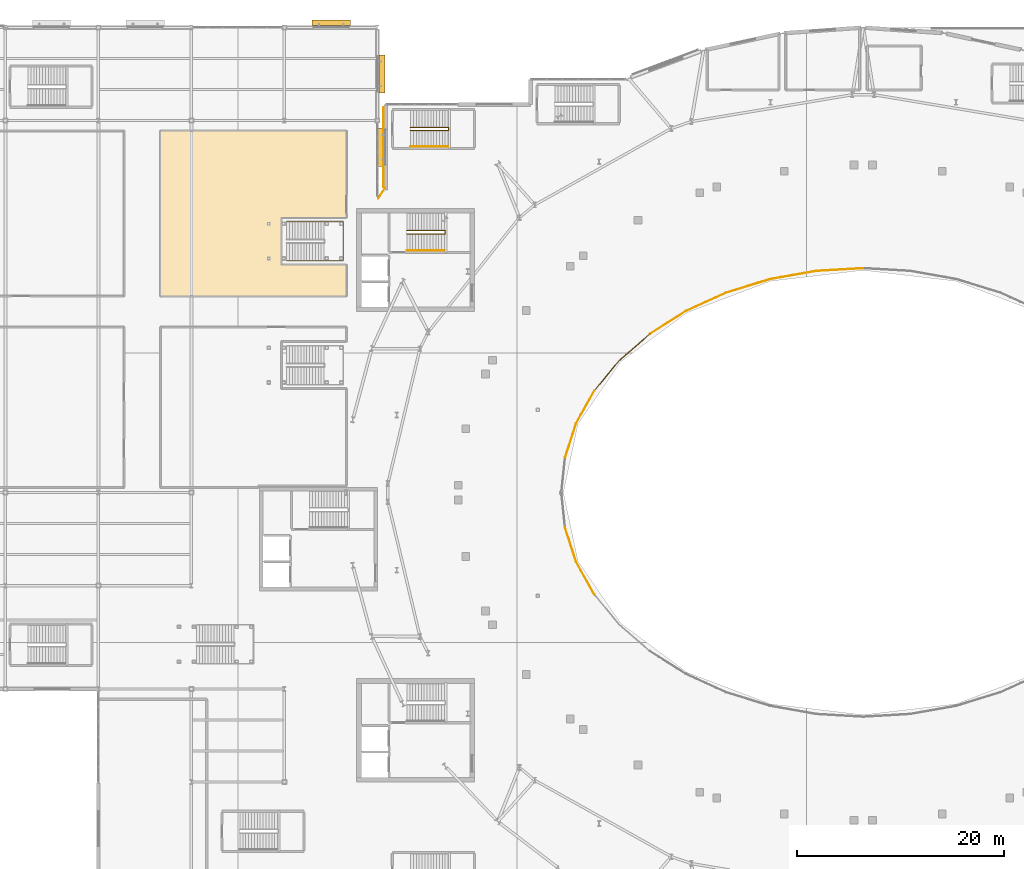
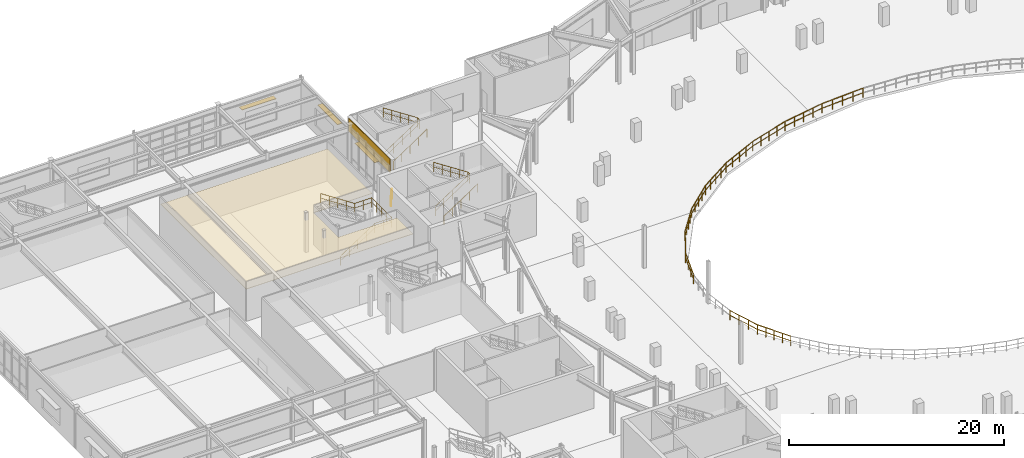
# One storey, part 81 of 84: 17 railings, 3 shading devices, 2 coverings.
"""IFC4 building model written with IfcOpenShell, lengths in metres."""

import ifcopenshell
import ifcopenshell.guid

model = None  # the IFC model being written
_history = None  # IfcOwnerHistory: only IFC2X3 demands one
_inside = {}  # id of a spatial element -> (the spatial element, [elements in it])
_under = {}  # id of a project, library or spatial element -> (it, [spatial elements below it])
_declared = {}  # id of a project -> (the project, [libraries it declares])
_typed = {}  # id of a type object -> (the type object, [elements of that type])
_made_of = {}  # id of a material, layer set ... -> (it, [elements and type objects made of it])


def new_model(schema):
    """Start an empty IFC model of exactly this schema.

    Asked for "IFC4X3", IfcOpenShell would pick the latest addendum, in which some entities
    have other attributes; the version numbers below select the first issue.
    IFC2X3 requires an IfcOwnerHistory on every rooted entity: one is made here for all.
    """
    global model, _history
    if schema == "IFC4X3":
        model = ifcopenshell.file(schema_version=(4, 3, 0, 0))
    else:
        model = ifcopenshell.file(schema=schema)
    _inside.clear()
    _under.clear()
    _declared.clear()
    _typed.clear()
    _made_of.clear()
    _history = None
    if model.schema == "IFC2X3":
        org = make("IfcOrganization", Name="unknown")
        user = make(
            "IfcPersonAndOrganization",
            ThePerson=make("IfcPerson", FamilyName="unknown"),
            TheOrganization=org,
        )
        app = make(
            "IfcApplication",
            ApplicationDeveloper=org,
            Version="unknown",
            ApplicationFullName="unknown",
            ApplicationIdentifier="unknown",
        )
        _history = make(
            "IfcOwnerHistory",
            OwningUser=user,
            OwningApplication=app,
            ChangeAction="ADDED",
            CreationDate=0,
        )
    return model


def make(cls, **values):
    """One entity of the class cls with the attributes given. An attribute that is None is left unset."""
    return model.create_entity(
        cls, **{name: value for name, value in values.items() if value is not None}
    )


def rooted(cls, **values):
    """An entity with a GlobalId (a new one), such as an element, a storey or a relation."""
    return make(cls, GlobalId=ifcopenshell.guid.new(), OwnerHistory=_history, **values)


def si_unit(unit_type, name, prefix=None):
    """IfcSIUnit, for example si_unit("LENGTHUNIT", "METRE", prefix="MILLI")."""
    return make("IfcSIUnit", UnitType=unit_type, Prefix=prefix, Name=name)


def assignment(units):
    """IfcUnitAssignment: the units of a project."""
    return None if units is None else make("IfcUnitAssignment", Units=units)


def point(xyz):
    """IfcCartesianPoint."""
    return None if xyz is None else make("IfcCartesianPoint", Coordinates=xyz)


def direction(xyz):
    """IfcDirection."""
    return None if xyz is None else make("IfcDirection", DirectionRatios=xyz)


def frame(location, z_axis=None, x_axis=None):
    """IfcAxis2Placement3D, a coordinate frame: its origin and axes. An axis left out is left unset."""
    return make(
        "IfcAxis2Placement3D",
        Location=point(location),
        Axis=direction(z_axis),
        RefDirection=direction(x_axis),
    )


def frame_2d(location, x_axis=None):
    """IfcAxis2Placement2D, a coordinate frame in the plane: its origin and x axis."""
    return make(
        "IfcAxis2Placement2D", Location=point(location), RefDirection=direction(x_axis)
    )


def origin():
    """The frame at (0, 0, 0) with its axes left unset."""
    return frame((0.0, 0.0, 0.0))


def origin_2d():
    """The frame at (0, 0) in the plane with its x axis left unset."""
    return frame_2d((0.0, 0.0))


def place(relative_to, where):
    """IfcLocalPlacement: puts the frame where relative to a parent placement (None: the world)."""
    return make(
        "IfcLocalPlacement", PlacementRelTo=relative_to, RelativePlacement=where
    )


def context(
    kind, dimensions, precision=None, world=None, true_north=None, identifier=None
):
    """IfcGeometricRepresentationContext, for example the 3D "Model" context."""
    return make(
        "IfcGeometricRepresentationContext",
        ContextIdentifier=identifier,
        ContextType=kind,
        CoordinateSpaceDimension=dimensions,
        Precision=precision,
        WorldCoordinateSystem=world,
        TrueNorth=true_north,
    )


def subcontext(parent, identifier, kind, view, scale=None):
    """IfcGeometricRepresentationSubContext, for example "Body" below "Model"."""
    return make(
        "IfcGeometricRepresentationSubContext",
        ContextIdentifier=identifier,
        ContextType=kind,
        ParentContext=parent,
        TargetScale=scale,
        TargetView=view,
    )


def project(units=None, contexts=None):
    """IfcProject with its units and contexts."""
    return rooted(
        "IfcProject",
        Name="project",
        RepresentationContexts=contexts,
        UnitsInContext=assignment(units),
    )


def spatial(cls, under=None, at=None, **own):
    """A site, building, storey or space (cls), placed at a placement, below another one or the project."""
    s = rooted(cls, ObjectPlacement=at, **own)
    if under is not None:
        _under.setdefault(under.id(), (under, []))[1].append(s)
    return s


def polyline(points):
    """IfcPolyline through the points."""
    return make("IfcPolyline", Points=[point(p) for p in points])


def profile(cls, at=None, kind="AREA", **sizes):
    """A parametric profile (cls). Its sizes go by their IFC names, for example OverallWidth=200.0."""
    return make(cls, ProfileType=kind, Position=at, **sizes)


def rectangle(**sizes):
    """IfcRectangleProfileDef."""
    return profile("IfcRectangleProfileDef", **sizes)


def circle(**sizes):
    """IfcCircleProfileDef."""
    return profile("IfcCircleProfileDef", **sizes)


def outline(outer, holes=None, kind="AREA"):
    """IfcArbitraryClosedProfileDef: a profile drawn as a closed curve; with holes, ...WithVoids."""
    if holes is None:
        return make("IfcArbitraryClosedProfileDef", ProfileType=kind, OuterCurve=outer)
    return make(
        "IfcArbitraryProfileDefWithVoids",
        ProfileType=kind,
        OuterCurve=outer,
        InnerCurves=holes,
    )


def extrude(swept, where, along, depth):
    """IfcExtrudedAreaSolid: the profile swept, set in the frame where, extruded along a direction by depth."""
    return make(
        "IfcExtrudedAreaSolid",
        SweptArea=swept,
        Position=where,
        ExtrudedDirection=direction(along),
        Depth=depth,
    )


def shape(context_of_items, identifier, shape_type, items):
    """IfcShapeRepresentation: the items that make up one representation, for example the "Body"."""
    return make(
        "IfcShapeRepresentation",
        ContextOfItems=context_of_items,
        RepresentationIdentifier=identifier,
        RepresentationType=shape_type,
        Items=items,
    )


def material(Name=None, Category=None):
    """IfcMaterial."""
    return make("IfcMaterial", Name=Name, Category=Category)


def layer(
    of_material, thickness, ventilated=None, Name=None, Category=None, Priority=None
):
    """IfcMaterialLayer: one layer of a wall or slab, of a material (None: an air gap)."""
    return make(
        "IfcMaterialLayer",
        Material=of_material,
        LayerThickness=thickness,
        IsVentilated=ventilated,
        Name=Name,
        Category=Category,
        Priority=Priority,
    )


def layer_set(layers, Name=None):
    """IfcMaterialLayerSet."""
    return make("IfcMaterialLayerSet", MaterialLayers=layers, LayerSetName=Name)


def made_of(thing, what):
    """Note that an element or type object is made of a material, layer set ...; save() writes the relation."""
    if what is not None:
        _made_of.setdefault(what.id(), (what, []))[1].append(thing)
    return thing


def type_object(cls, material=None, **own):
    """A type object (cls), such as IfcWallType, which elements share."""
    return made_of(rooted(cls, **own), material)


def element(
    cls,
    number,
    at=None,
    inside=None,
    cuts=None,
    type_object=None,
    material=None,
    context=None,
    identifier="Body",
    shape_type=None,
    held_by="IfcProductDefinitionShape",
    body=None,
    shapes=None,
    **own,
):
    """One element of the class cls, such as IfcWall. Its Tag is "e" and its number.

    at: its placement. inside: the storey or other place that contains it. cuts: it is an
    opening in that element (IfcRelVoidsElement). A single representation is given by context,
    identifier, shape_type and body (its items); several are given by shapes. held_by: the class
    of the entity that holds the representations. save() writes the other relations.
    """
    e = rooted(cls, Tag="e%d" % number, ObjectPlacement=at, **own)
    if body is not None:
        shapes = [shape(context, identifier, shape_type, body)]
    if shapes is not None:
        e.Representation = make(held_by, Representations=shapes)
    if inside is not None:
        _inside.setdefault(inside.id(), (inside, []))[1].append(e)
    if cuts is not None:
        rooted(
            "IfcRelVoidsElement", RelatingBuildingElement=cuts, RelatedOpeningElement=e
        )
    if type_object is not None:
        _typed.setdefault(type_object.id(), (type_object, []))[1].append(e)
    return made_of(e, material)


def aggregate(whole, parts):
    """IfcRelAggregates: a whole, such as a stair, and the parts it consists of."""
    return rooted("IfcRelAggregates", RelatingObject=whole, RelatedObjects=parts)


def save(model, path):
    """Write the relations noted so far, then the file.

    IfcRelAggregates (storeys below a building ...), IfcRelContainedInSpatialStructure (elements
    in a storey), IfcRelDefinesByType, IfcRelAssociatesMaterial and IfcRelDeclares: one each for
    every whole, place, type object, material and project.
    """
    for whole, parts in _under.values():
        aggregate(whole, parts)
    for where, things in _inside.values():
        rooted(
            "IfcRelContainedInSpatialStructure",
            RelatedElements=things,
            RelatingStructure=where,
        )
    for kind, things in _typed.values():
        rooted("IfcRelDefinesByType", RelatedObjects=things, RelatingType=kind)
    for what, things in _made_of.values():
        rooted("IfcRelAssociatesMaterial", RelatedObjects=things, RelatingMaterial=what)
    for by, libraries in _declared.values():
        rooted("IfcRelDeclares", RelatingContext=by, RelatedDefinitions=libraries)
    model.write(path)


model = new_model("IFC4")

# Units and contexts
model_context = context("Model", 3, precision=1e-05, world=origin(), true_north=direction((0.0, 1.0)))
body_context = subcontext(model_context, "Body", "Model", "MODEL_VIEW")
ifc_project = project(units=[si_unit("LENGTHUNIT", "METRE"), si_unit("AREAUNIT", "SQUARE_METRE"), si_unit("VOLUMEUNIT", "CUBIC_METRE"), si_unit("PLANEANGLEUNIT", "RADIAN"), si_unit("MASSUNIT", "GRAM", prefix="KILO")], contexts=[model_context])

# Site, building, storey
site_placement = place(None, origin())
site = spatial("IfcSite", under=ifc_project, at=site_placement, CompositionType="ELEMENT")
building_placement = place(site_placement, origin())
building = spatial("IfcBuilding", under=site, at=building_placement, Name="Glasvene Arena", CompositionType="ELEMENT")
storey_placement = place(building_placement, frame((0.0, 0.0, 10.199951171875)))
storey = spatial("IfcBuildingStorey", under=building, at=storey_placement, Name="L02", CompositionType="ELEMENT", Elevation=10.199951171875)

# Coverings
ifc_material_1 = material(Name="Perforated acoustic mineral ceiling tile")
ifc_layer_1 = layer(ifc_material_1, 0.0400390625)
ifc_layer_set_1 = layer_set([ifc_layer_1], Name="Perforated acoustic mineral ceiling tile")
covering_type_1 = type_object("IfcCoveringType", Name="COV-CEIL-AC", PredefinedType="CEILING", material=ifc_layer_set_1)
covering_1_placement = place(storey_placement, frame((35.87109375, 98.396484375, 3.580078125)))
element("IfcCovering", 1, at=covering_1_placement, inside=storey, type_object=covering_type_1, Name="Acoustic suspended ceiling Arena Administration Office", PredefinedType="CEILING", context=body_context, shape_type="SweptSolid", body=[
    extrude(outline(polyline([(-0.19091796875, -3.348388671875), (-0.183837890625, -3.362060546875), (6.10888671875, -3.366455078125), (6.10888671875, -6.37646484375), (-11.85107421875, -6.37646484375), (-11.85107421875, 9.58349609375), (6.10888671875, 9.58349609375), (6.10888671875, 1.2236328125), (-0.171142578125, 1.2236328125), (-0.1865234375, 1.21630859375), (-0.19091796875, -3.348388671875)])), origin(), (0.0, 0.0, 1.0), 0.0400390625),
])
ifc_material_2 = material(Name="Coursed pale Irish limestone", Category="masonry")
ifc_layer_2 = layer(ifc_material_2, 0.050048828125)
ifc_layer_set_2 = layer_set([ifc_layer_2], Name="Coursed pale Irish limestone")
covering_type_2 = type_object("IfcCoveringType", Name="COV-CLAD-LIM", PredefinedType="CLADDING", material=ifc_layer_set_2)
covering_2_placement = place(storey_placement, frame((45.60009765625, 106.409423828125, 2.949951171875), z_axis=(0.0, 0.0, 1.0), x_axis=(0.0, 1.0, 0.0)))
element("IfcCovering", 2, at=covering_2_placement, inside=storey, type_object=covering_type_2, Name="Irish limestone spandrel cladding EW-L02-0128", PredefinedType="CLADDING", context=body_context, shape_type="SweptSolid", body=[
    extrude(rectangle(XDim=7.781005859375, YDim=0.050048828125, at=origin_2d()), origin(), (0.0, 0.0, 1.0), 1.52001953125),
])

# Railings
ifc_material_3 = material(Name="Brushed stainless steel", Category="steel")
railing_type_1 = type_object("IfcRailingType", Name="RL-GUARD-1100", PredefinedType="GUARDRAIL", material=ifc_material_3)
railing_1_placement = place(storey_placement, frame((47.85009765625, 98.010009765625, 0.0)))
element("IfcRailing", 3, at=railing_1_placement, inside=storey, type_object=railing_type_1, Name="Stair inner well continuous guardrail ST-01-L02", PredefinedType="GUARDRAIL", context=body_context, shape_type="SweptSolid", body=[
    extrude(circle(Radius=0.02392578125, at=origin_2d()), frame((0.0, 0.0, 1.076171875), z_axis=(0.837590697589, 0.0, 0.546298291515), x_axis=(0.0, 1.0, 0.0)), (0.0, 0.0, 1.0), 4.3935546875),
    extrude(circle(Radius=0.01611328125, at=origin_2d()), frame((0.0, 0.0, 0.550048828125), z_axis=(0.837590697589, 0.0, 0.546298291515), x_axis=(0.0, 1.0, 0.0)), (0.0, 0.0, 1.0), 4.3935546875),
    extrude(circle(Radius=0.02392578125, at=origin_2d()), frame((3.679931640625, 0.0, 3.47607421875), z_axis=(0.0, 1.0, 0.0), x_axis=(-1.0, 0.0, 0.0)), (0.0, 0.0, 1.0), 0.330078125),
    extrude(circle(Radius=0.01611328125, at=origin_2d()), frame((3.679931640625, 0.0, 2.9501953125), z_axis=(0.0, 1.0, 0.0), x_axis=(-1.0, 0.0, 0.0)), (0.0, 0.0, 1.0), 0.330078125),
    extrude(circle(Radius=0.02392578125, at=origin_2d()), frame((3.679931640625, 0.330078125, 3.47607421875), z_axis=(-0.837616124378, 0.0, 0.546259304892), x_axis=(0.0, -1.0, 0.0)), (0.0, 0.0, 1.0), 4.393310546875),
    extrude(circle(Radius=0.01611328125, at=origin_2d()), frame((3.679931640625, 0.330078125, 2.9501953125), z_axis=(-0.837616124378, 0.0, 0.546259304892), x_axis=(0.0, -1.0, 0.0)), (0.0, 0.0, 1.0), 4.393310546875),
    extrude(circle(Radius=0.02099609375, at=origin_2d()), origin(), (0.0, 0.0, 1.0), 1.052001953125),
    extrude(circle(Radius=0.02099609375, at=origin_2d()), frame((0.919921875, 0.0, 0.60009765625)), (0.0, 0.0, 1.0), 1.052001953125),
    extrude(circle(Radius=0.02099609375, at=origin_2d()), frame((1.83984375, 0.0, 1.2001953125)), (0.0, 0.0, 1.0), 1.052001953125),
    extrude(circle(Radius=0.02099609375, at=origin_2d()), frame((2.760009765625, 0.0, 1.800048828125)), (0.0, 0.0, 1.0), 1.052001953125),
    extrude(circle(Radius=0.02099609375, at=origin_2d()), frame((3.679931640625, 0.0, 2.400146484375)), (0.0, 0.0, 1.0), 1.052001953125),
    extrude(circle(Radius=0.02099609375, at=origin_2d()), frame((3.679931640625, 0.330078125, 2.400146484375)), (0.0, 0.0, 1.0), 1.052001953125),
    extrude(circle(Radius=0.02099609375, at=origin_2d()), frame((2.760009765625, 0.330078125, 3.0)), (0.0, 0.0, 1.0), 1.052001953125),
    extrude(circle(Radius=0.02099609375, at=origin_2d()), frame((1.83984375, 0.330078125, 3.60009765625)), (0.0, 0.0, 1.0), 1.052001953125),
    extrude(circle(Radius=0.02099609375, at=origin_2d()), frame((0.919921875, 0.330078125, 4.2001953125)), (0.0, 0.0, 1.0), 1.052001953125),
    extrude(circle(Radius=0.02099609375, at=origin_2d()), frame((0.0, 0.330078125, 4.800048828125)), (0.0, 0.0, 1.0), 1.052001953125),
])
railing_2_placement = place(storey_placement, frame((48.199951171875, 108.010009765625, 0.0)))
element("IfcRailing", 4, at=railing_2_placement, inside=storey, type_object=railing_type_1, Name="Stair inner well continuous guardrail ST-12-L02", PredefinedType="GUARDRAIL", context=body_context, shape_type="SweptSolid", body=[
    extrude(circle(Radius=0.02392578125, at=origin_2d()), frame((0.0, 0.0, 1.076171875), z_axis=(0.837590697589, 0.0, 0.546298291515), x_axis=(0.0, 1.0, 0.0)), (0.0, 0.0, 1.0), 4.3935546875),
    extrude(circle(Radius=0.01611328125, at=origin_2d()), frame((0.0, 0.0, 0.550048828125), z_axis=(0.837590697589, 0.0, 0.546298291515), x_axis=(0.0, 1.0, 0.0)), (0.0, 0.0, 1.0), 4.3935546875),
    extrude(circle(Radius=0.02392578125, at=origin_2d()), frame((3.679931640625, 0.0, 3.47607421875), z_axis=(0.0, 1.0, 0.0), x_axis=(-1.0, 0.0, 0.0)), (0.0, 0.0, 1.0), 0.330078125),
    extrude(circle(Radius=0.01611328125, at=origin_2d()), frame((3.679931640625, 0.0, 2.9501953125), z_axis=(0.0, 1.0, 0.0), x_axis=(-1.0, 0.0, 0.0)), (0.0, 0.0, 1.0), 0.330078125),
    extrude(circle(Radius=0.02392578125, at=origin_2d()), frame((3.679931640625, 0.330078125, 3.47607421875), z_axis=(-0.837616124378, 0.0, 0.546259304892), x_axis=(0.0, -1.0, 0.0)), (0.0, 0.0, 1.0), 4.393310546875),
    extrude(circle(Radius=0.01611328125, at=origin_2d()), frame((3.679931640625, 0.330078125, 2.9501953125), z_axis=(-0.837616124378, 0.0, 0.546259304892), x_axis=(0.0, -1.0, 0.0)), (0.0, 0.0, 1.0), 4.393310546875),
    extrude(circle(Radius=0.02099609375, at=origin_2d()), origin(), (0.0, 0.0, 1.0), 1.052001953125),
    extrude(circle(Radius=0.02099609375, at=origin_2d()), frame((0.919921875, 0.0, 0.60009765625)), (0.0, 0.0, 1.0), 1.052001953125),
    extrude(circle(Radius=0.02099609375, at=origin_2d()), frame((1.83984375, 0.0, 1.2001953125)), (0.0, 0.0, 1.0), 1.052001953125),
    extrude(circle(Radius=0.02099609375, at=origin_2d()), frame((2.760009765625, 0.0, 1.800048828125)), (0.0, 0.0, 1.0), 1.052001953125),
    extrude(circle(Radius=0.02099609375, at=origin_2d()), frame((3.679931640625, 0.0, 2.400146484375)), (0.0, 0.0, 1.0), 1.052001953125),
    extrude(circle(Radius=0.02099609375, at=origin_2d()), frame((3.679931640625, 0.330078125, 2.400146484375)), (0.0, 0.0, 1.0), 1.052001953125),
    extrude(circle(Radius=0.02099609375, at=origin_2d()), frame((2.760009765625, 0.330078125, 3.0)), (0.0, 0.0, 1.0), 1.052001953125),
    extrude(circle(Radius=0.02099609375, at=origin_2d()), frame((1.83984375, 0.330078125, 3.60009765625)), (0.0, 0.0, 1.0), 1.052001953125),
    extrude(circle(Radius=0.02099609375, at=origin_2d()), frame((0.919921875, 0.330078125, 4.2001953125)), (0.0, 0.0, 1.0), 1.052001953125),
    extrude(circle(Radius=0.02099609375, at=origin_2d()), frame((0.0, 0.330078125, 4.800048828125)), (0.0, 0.0, 1.0), 1.052001953125),
])
railing_3_placement = place(storey_placement, frame((36.199951171875, 95.449951171875, 0.0)))
element("IfcRailing", 5, at=railing_3_placement, inside=storey, type_object=railing_type_1, Name="Vomitory Stair outer guard VOM-06", PredefinedType="GUARDRAIL", context=body_context, shape_type="SweptSolid", body=[
    extrude(circle(Radius=0.02392578125, at=origin_2d()), frame((0.0, 0.0, 1.076171875), z_axis=(0.834856447115, 0.0, 0.55046772177), x_axis=(0.0, 1.0, 0.0)), (0.0, 0.0, 1.0), 4.360107421875),
    extrude(circle(Radius=0.01611328125, at=origin_2d()), frame((0.0, 0.0, 0.550048828125), z_axis=(0.834856447115, 0.0, 0.55046772177), x_axis=(0.0, 1.0, 0.0)), (0.0, 0.0, 1.0), 4.360107421875),
    extrude(circle(Radius=0.02392578125, at=origin_2d()), frame((3.64013671875, 0.0, 3.47607421875), z_axis=(1.0, 0.0, 0.0), x_axis=(0.0, 1.0, 0.0)), (0.0, 0.0, 1.0), 1.849853515625),
    extrude(circle(Radius=0.01611328125, at=origin_2d()), frame((3.64013671875, 0.0, 2.9501953125), z_axis=(1.0, 0.0, 0.0), x_axis=(0.0, 1.0, 0.0)), (0.0, 0.0, 1.0), 1.849853515625),
    extrude(circle(Radius=0.02392578125, at=origin_2d()), frame((5.489990234375, 0.0, 3.47607421875), z_axis=(0.0, 1.0, 0.0), x_axis=(-1.0, 0.0, 0.0)), (0.0, 0.0, 1.0), 3.75),
    extrude(circle(Radius=0.01611328125, at=origin_2d()), frame((5.489990234375, 0.0, 2.9501953125), z_axis=(0.0, 1.0, 0.0), x_axis=(-1.0, 0.0, 0.0)), (0.0, 0.0, 1.0), 3.75),
    extrude(circle(Radius=0.02392578125, at=origin_2d()), frame((5.489990234375, 3.75, 3.47607421875), z_axis=(-1.0, 0.0, 0.0), x_axis=(0.0, -1.0, 0.0)), (0.0, 0.0, 1.0), 1.849853515625),
    extrude(circle(Radius=0.01611328125, at=origin_2d()), frame((5.489990234375, 3.75, 2.9501953125), z_axis=(-1.0, 0.0, 0.0), x_axis=(0.0, -1.0, 0.0)), (0.0, 0.0, 1.0), 1.849853515625),
    extrude(circle(Radius=0.02392578125, at=origin_2d()), frame((3.64013671875, 3.75, 3.47607421875), z_axis=(-0.83488217925, 0.0, 0.55042869363), x_axis=(0.0, -1.0, 0.0)), (0.0, 0.0, 1.0), 4.360107421875),
    extrude(circle(Radius=0.01611328125, at=origin_2d()), frame((3.64013671875, 3.75, 2.9501953125), z_axis=(-0.83488217925, 0.0, 0.55042869363), x_axis=(0.0, -1.0, 0.0)), (0.0, 0.0, 1.0), 4.360107421875),
    extrude(circle(Radius=0.02099609375, at=origin_2d()), origin(), (0.0, 0.0, 1.0), 1.052001953125),
    extrude(circle(Radius=0.02099609375, at=origin_2d()), frame((0.91015625, 0.0, 0.60009765625)), (0.0, 0.0, 1.0), 1.052001953125),
    extrude(circle(Radius=0.02099609375, at=origin_2d()), frame((1.820068359375, 0.0, 1.2001953125)), (0.0, 0.0, 1.0), 1.052001953125),
    extrude(circle(Radius=0.02099609375, at=origin_2d()), frame((2.72998046875, 0.0, 1.800048828125)), (0.0, 0.0, 1.0), 1.052001953125),
    extrude(circle(Radius=0.02099609375, at=origin_2d()), frame((3.64013671875, 0.0, 2.400146484375)), (0.0, 0.0, 1.0), 1.052001953125),
    extrude(circle(Radius=0.02099609375, at=origin_2d()), frame((4.56494140625, 0.0, 2.400146484375)), (0.0, 0.0, 1.0), 1.052001953125),
    extrude(circle(Radius=0.02099609375, at=origin_2d()), frame((5.489990234375, 0.0, 2.400146484375)), (0.0, 0.0, 1.0), 1.052001953125),
    extrude(circle(Radius=0.02099609375, at=origin_2d()), frame((5.489990234375, 0.9375, 2.400146484375)), (0.0, 0.0, 1.0), 1.052001953125),
    extrude(circle(Radius=0.02099609375, at=origin_2d()), frame((5.489990234375, 1.875, 2.400146484375)), (0.0, 0.0, 1.0), 1.052001953125),
    extrude(circle(Radius=0.02099609375, at=origin_2d()), frame((5.489990234375, 2.8125, 2.400146484375)), (0.0, 0.0, 1.0), 1.052001953125),
    extrude(circle(Radius=0.02099609375, at=origin_2d()), frame((5.489990234375, 3.75, 2.400146484375)), (0.0, 0.0, 1.0), 1.052001953125),
    extrude(circle(Radius=0.02099609375, at=origin_2d()), frame((4.56494140625, 3.75, 2.400146484375)), (0.0, 0.0, 1.0), 1.052001953125),
    extrude(circle(Radius=0.02099609375, at=origin_2d()), frame((3.64013671875, 3.75, 2.400146484375)), (0.0, 0.0, 1.0), 1.052001953125),
    extrude(circle(Radius=0.02099609375, at=origin_2d()), frame((2.72998046875, 3.75, 3.0)), (0.0, 0.0, 1.0), 1.052001953125),
    extrude(circle(Radius=0.02099609375, at=origin_2d()), frame((1.820068359375, 3.75, 3.60009765625)), (0.0, 0.0, 1.0), 1.052001953125),
    extrude(circle(Radius=0.02099609375, at=origin_2d()), frame((0.91015625, 3.75, 4.2001953125)), (0.0, 0.0, 1.0), 1.052001953125),
    extrude(circle(Radius=0.02099609375, at=origin_2d()), frame((0.0, 3.75, 4.800048828125)), (0.0, 0.0, 1.0), 1.052001953125),
])
railing_4_placement = place(storey_placement, frame((92.0, 94.699951171875, 0.0)))
element("IfcRailing", 6, at=railing_4_placement, inside=storey, type_object=railing_type_1, Name="Safety guardrail GD-BWL-L02-011", PredefinedType="GUARDRAIL", context=body_context, shape_type="SweptSolid", body=[
    extrude(circle(Radius=0.02392578125, at=origin_2d()), frame((0.0, 0.0, 1.076171875), z_axis=(-0.998294918251, -0.058371707139, 0.0), x_axis=(0.058371707139, -0.998294918251, 0.0)), (0.0, 0.0, 1.0), 4.57568359375),
    extrude(circle(Radius=0.01611328125, at=origin_2d()), frame((0.0, 0.0, 0.550048828125), z_axis=(-0.998294918251, -0.058371707139, 0.0), x_axis=(0.058371707139, -0.998294918251, 0.0)), (0.0, 0.0, 1.0), 4.57568359375),
    extrude(circle(Radius=0.02099609375, at=origin_2d()), origin(), (0.0, 0.0, 1.0), 1.052001953125),
    extrude(circle(Radius=0.02099609375, at=origin_2d()), frame((-1.14208984375, -0.06689453125, 0.0)), (0.0, 0.0, 1.0), 1.052001953125),
    extrude(circle(Radius=0.02099609375, at=origin_2d()), frame((-2.283935546875, -0.133544921875, 0.0)), (0.0, 0.0, 1.0), 1.052001953125),
    extrude(circle(Radius=0.02099609375, at=origin_2d()), frame((-3.42578125, -0.2001953125, 0.0)), (0.0, 0.0, 1.0), 1.052001953125),
    extrude(circle(Radius=0.02099609375, at=origin_2d()), frame((-4.56787109375, -0.26708984375, 0.0)), (0.0, 0.0, 1.0), 1.052001953125),
])
railing_5_placement = place(storey_placement, frame((87.43212890625, 94.432861328125, 0.0)))
element("IfcRailing", 7, at=railing_5_placement, inside=storey, type_object=railing_type_1, Name="Safety guardrail GD-BWL-L02-012", PredefinedType="GUARDRAIL", context=body_context, shape_type="SweptSolid", body=[
    extrude(circle(Radius=0.02392578125, at=origin_2d()), frame((0.0, 0.0, 1.076171875), z_axis=(-0.984453237515, -0.175646870587, 0.0), x_axis=(0.175646870587, -0.984453237515, 0.0)), (0.0, 0.0, 1.0), 4.525634765625),
    extrude(circle(Radius=0.01611328125, at=origin_2d()), frame((0.0, 0.0, 0.550048828125), z_axis=(-0.984453237515, -0.175646870587, 0.0), x_axis=(0.175646870587, -0.984453237515, 0.0)), (0.0, 0.0, 1.0), 4.525634765625),
    extrude(circle(Radius=0.02099609375, at=origin_2d()), origin(), (0.0, 0.0, 1.0), 1.052001953125),
    extrude(circle(Radius=0.02099609375, at=origin_2d()), frame((-1.11376953125, -0.19873046875, 0.0)), (0.0, 0.0, 1.0), 1.052001953125),
    extrude(circle(Radius=0.02099609375, at=origin_2d()), frame((-2.2275390625, -0.3974609375, 0.0)), (0.0, 0.0, 1.0), 1.052001953125),
    extrude(circle(Radius=0.02099609375, at=origin_2d()), frame((-3.341552734375, -0.59619140625, 0.0)), (0.0, 0.0, 1.0), 1.052001953125),
    extrude(circle(Radius=0.02099609375, at=origin_2d()), frame((-4.455322265625, -0.794921875, 0.0)), (0.0, 0.0, 1.0), 1.052001953125),
])
railing_6_placement = place(storey_placement, frame((82.976806640625, 93.637939453125, 0.0)))
element("IfcRailing", 8, at=railing_6_placement, inside=storey, type_object=railing_type_1, Name="Safety guardrail GD-BWL-L02-013", PredefinedType="GUARDRAIL", context=body_context, shape_type="SweptSolid", body=[
    extrude(circle(Radius=0.02392578125, at=origin_2d()), frame((0.0, 0.0, 1.076171875), z_axis=(-0.955738480796, -0.294217532323, 0.0), x_axis=(0.294217532323, -0.955738480796, 0.0)), (0.0, 0.0, 1.0), 4.429443359375),
    extrude(circle(Radius=0.01611328125, at=origin_2d()), frame((0.0, 0.0, 0.550048828125), z_axis=(-0.955738480796, -0.294217532323, 0.0), x_axis=(0.294217532323, -0.955738480796, 0.0)), (0.0, 0.0, 1.0), 4.429443359375),
    extrude(circle(Radius=0.02099609375, at=origin_2d()), origin(), (0.0, 0.0, 1.0), 1.052001953125),
    extrude(circle(Radius=0.02099609375, at=origin_2d()), frame((-1.058349609375, -0.32568359375, 0.0)), (0.0, 0.0, 1.0), 1.052001953125),
    extrude(circle(Radius=0.02099609375, at=origin_2d()), frame((-2.11669921875, -0.651611328125, 0.0)), (0.0, 0.0, 1.0), 1.052001953125),
    extrude(circle(Radius=0.02099609375, at=origin_2d()), frame((-3.175048828125, -0.9775390625, 0.0)), (0.0, 0.0, 1.0), 1.052001953125),
    extrude(circle(Radius=0.02099609375, at=origin_2d()), frame((-4.2333984375, -1.30322265625, 0.0)), (0.0, 0.0, 1.0), 1.052001953125),
])
railing_7_placement = place(storey_placement, frame((78.743408203125, 92.334716796875, 0.0)))
element("IfcRailing", 9, at=railing_7_placement, inside=storey, type_object=railing_type_1, Name="Safety guardrail GD-BWL-L02-014", PredefinedType="GUARDRAIL", context=body_context, shape_type="SweptSolid", body=[
    extrude(circle(Radius=0.02392578125, at=origin_2d()), frame((0.0, 0.0, 1.076171875), z_axis=(-0.910079947412, -0.414432731958, 0.0), x_axis=(0.414432731958, -0.910079947412, 0.0)), (0.0, 0.0, 1.0), 4.292724609375),
    extrude(circle(Radius=0.01611328125, at=origin_2d()), frame((0.0, 0.0, 0.550048828125), z_axis=(-0.910079947412, -0.414432731958, 0.0), x_axis=(0.414432731958, -0.910079947412, 0.0)), (0.0, 0.0, 1.0), 4.292724609375),
    extrude(circle(Radius=0.02099609375, at=origin_2d()), origin(), (0.0, 0.0, 1.0), 1.052001953125),
    extrude(circle(Radius=0.02099609375, at=origin_2d()), frame((-0.9765625, -0.44482421875, 0.0)), (0.0, 0.0, 1.0), 1.052001953125),
    extrude(circle(Radius=0.02099609375, at=origin_2d()), frame((-1.953369140625, -0.8896484375, 0.0)), (0.0, 0.0, 1.0), 1.052001953125),
    extrude(circle(Radius=0.02099609375, at=origin_2d()), frame((-2.93017578125, -1.334228515625, 0.0)), (0.0, 0.0, 1.0), 1.052001953125),
    extrude(circle(Radius=0.02099609375, at=origin_2d()), frame((-3.90673828125, -1.779052734375, 0.0)), (0.0, 0.0, 1.0), 1.052001953125),
])
railing_8_placement = place(storey_placement, frame((74.836669921875, 90.5556640625, 0.0)))
element("IfcRailing", 10, at=railing_8_placement, inside=storey, type_object=railing_type_1, Name="Safety guardrail GD-BWL-L02-015", PredefinedType="GUARDRAIL", context=body_context, shape_type="SweptSolid", body=[
    extrude(circle(Radius=0.02392578125, at=origin_2d()), frame((0.0, 0.0, 1.076171875), z_axis=(-0.844291843699, -0.535883646572, 0.0), x_axis=(0.535883646572, -0.844291843699, 0.0)), (0.0, 0.0, 1.0), 4.126708984375),
    extrude(circle(Radius=0.01611328125, at=origin_2d()), frame((0.0, 0.0, 0.550048828125), z_axis=(-0.844291843699, -0.535883646572, 0.0), x_axis=(0.535883646572, -0.844291843699, 0.0)), (0.0, 0.0, 1.0), 4.126708984375),
    extrude(circle(Radius=0.02099609375, at=origin_2d()), origin(), (0.0, 0.0, 1.0), 1.052001953125),
    extrude(circle(Radius=0.02099609375, at=origin_2d()), frame((-0.87109375, -0.552734375, 0.0)), (0.0, 0.0, 1.0), 1.052001953125),
    extrude(circle(Radius=0.02099609375, at=origin_2d()), frame((-1.7421875, -1.105712890625, 0.0)), (0.0, 0.0, 1.0), 1.052001953125),
    extrude(circle(Radius=0.02099609375, at=origin_2d()), frame((-2.613037109375, -1.65869140625, 0.0)), (0.0, 0.0, 1.0), 1.052001953125),
    extrude(circle(Radius=0.02099609375, at=origin_2d()), frame((-3.484130859375, -2.21142578125, 0.0)), (0.0, 0.0, 1.0), 1.052001953125),
])
railing_9_placement = place(storey_placement, frame((71.3525390625, 88.34423828125, 0.0)))
element("IfcRailing", 11, at=railing_9_placement, inside=storey, type_object=railing_type_1, Name="Safety guardrail GD-BWL-L02-016", PredefinedType="GUARDRAIL", context=body_context, shape_type="SweptSolid", body=[
    extrude(circle(Radius=0.02392578125, at=origin_2d()), frame((0.0, 0.0, 1.076171875), z_axis=(-0.754394959105, -0.656420784007, 0.0), x_axis=(0.656420784007, -0.754394959105, 0.0)), (0.0, 0.0, 1.0), 3.944580078125),
    extrude(circle(Radius=0.01611328125, at=origin_2d()), frame((0.0, 0.0, 0.550048828125), z_axis=(-0.754394959105, -0.656420784007, 0.0), x_axis=(0.656420784007, -0.754394959105, 0.0)), (0.0, 0.0, 1.0), 3.944580078125),
    extrude(circle(Radius=0.02099609375, at=origin_2d()), origin(), (0.0, 0.0, 1.0), 1.052001953125),
    extrude(circle(Radius=0.02099609375, at=origin_2d()), frame((-0.743896484375, -0.6474609375, 0.0)), (0.0, 0.0, 1.0), 1.052001953125),
    extrude(circle(Radius=0.02099609375, at=origin_2d()), frame((-1.48779296875, -1.294677734375, 0.0)), (0.0, 0.0, 1.0), 1.052001953125),
    extrude(circle(Radius=0.02099609375, at=origin_2d()), frame((-2.23193359375, -1.94189453125, 0.0)), (0.0, 0.0, 1.0), 1.052001953125),
    extrude(circle(Radius=0.02099609375, at=origin_2d()), frame((-2.975830078125, -2.58935546875, 0.0)), (0.0, 0.0, 1.0), 1.052001953125),
])
railing_10_placement = place(storey_placement, frame((68.376708984375, 85.7548828125, 0.0)))
element("IfcRailing", 12, at=railing_10_placement, inside=storey, type_object=railing_type_1, Name="Safety guardrail GD-BWL-L02-017", PredefinedType="GUARDRAIL", context=body_context, shape_type="SweptSolid", body=[
    extrude(circle(Radius=0.02392578125, at=origin_2d()), frame((0.0, 0.0, 1.076171875), z_axis=(-0.6361937785, -0.771529310006, 0.0), x_axis=(0.771529310006, -0.6361937785, 0.0)), (0.0, 0.0, 1.0), 3.76318359375),
    extrude(circle(Radius=0.01611328125, at=origin_2d()), frame((0.0, 0.0, 0.550048828125), z_axis=(-0.6361937785, -0.771529310006, 0.0), x_axis=(0.771529310006, -0.6361937785, 0.0)), (0.0, 0.0, 1.0), 3.76318359375),
    extrude(circle(Radius=0.02099609375, at=origin_2d()), origin(), (0.0, 0.0, 1.0), 1.052001953125),
    extrude(circle(Radius=0.02099609375, at=origin_2d()), frame((-0.5986328125, -0.725830078125, 0.0)), (0.0, 0.0, 1.0), 1.052001953125),
    extrude(circle(Radius=0.02099609375, at=origin_2d()), frame((-1.197021484375, -1.45166015625, 0.0)), (0.0, 0.0, 1.0), 1.052001953125),
    extrude(circle(Radius=0.02099609375, at=origin_2d()), frame((-1.79541015625, -2.177490234375, 0.0)), (0.0, 0.0, 1.0), 1.052001953125),
    extrude(circle(Radius=0.02099609375, at=origin_2d()), frame((-2.39404296875, -2.9033203125, 0.0)), (0.0, 0.0, 1.0), 1.052001953125),
])
railing_11_placement = place(storey_placement, frame((65.982666015625, 82.8515625, 0.0)))
element("IfcRailing", 13, at=railing_11_placement, inside=storey, type_object=railing_type_1, Name="Safety guardrail GD-BWL-L02-018", PredefinedType="GUARDRAIL", context=body_context, shape_type="SweptSolid", body=[
    extrude(circle(Radius=0.02392578125, at=origin_2d()), frame((0.0, 0.0, 1.076171875), z_axis=(-0.486920149471, -0.873446488366, 0.0), x_axis=(0.873446488366, -0.486920149471, 0.0)), (0.0, 0.0, 1.0), 3.6015625),
    extrude(circle(Radius=0.01611328125, at=origin_2d()), frame((0.0, 0.0, 0.550048828125), z_axis=(-0.486920149471, -0.873446488366, 0.0), x_axis=(0.873446488366, -0.486920149471, 0.0)), (0.0, 0.0, 1.0), 3.6015625),
    extrude(circle(Radius=0.02099609375, at=origin_2d()), origin(), (0.0, 0.0, 1.0), 1.052001953125),
    extrude(circle(Radius=0.02099609375, at=origin_2d()), frame((-0.4384765625, -0.786376953125, 0.0)), (0.0, 0.0, 1.0), 1.052001953125),
    extrude(circle(Radius=0.02099609375, at=origin_2d()), frame((-0.876953125, -1.57275390625, 0.0)), (0.0, 0.0, 1.0), 1.052001953125),
    extrude(circle(Radius=0.02099609375, at=origin_2d()), frame((-1.315185546875, -2.359375, 0.0)), (0.0, 0.0, 1.0), 1.052001953125),
    extrude(circle(Radius=0.02099609375, at=origin_2d()), frame((-1.753662109375, -3.145751953125, 0.0)), (0.0, 0.0, 1.0), 1.052001953125),
])
railing_12_placement = place(storey_placement, frame((64.22900390625, 79.705810546875, 0.0)))
element("IfcRailing", 14, at=railing_12_placement, inside=storey, type_object=railing_type_1, Name="Safety guardrail GD-BWL-L02-019", PredefinedType="GUARDRAIL", context=body_context, shape_type="SweptSolid", body=[
    extrude(circle(Radius=0.02392578125, at=origin_2d()), frame((0.0, 0.0, 1.076171875), z_axis=(-0.30737379466, -0.951588855734, 0.0), x_axis=(0.951588855734, -0.30737379466, 0.0)), (0.0, 0.0, 1.0), 3.479736328125),
    extrude(circle(Radius=0.01611328125, at=origin_2d()), frame((0.0, 0.0, 0.550048828125), z_axis=(-0.30737379466, -0.951588855734, 0.0), x_axis=(0.951588855734, -0.30737379466, 0.0)), (0.0, 0.0, 1.0), 3.479736328125),
    extrude(circle(Radius=0.02099609375, at=origin_2d()), origin(), (0.0, 0.0, 1.0), 1.052001953125),
    extrude(circle(Radius=0.02099609375, at=origin_2d()), frame((-0.3564453125, -1.103759765625, 0.0)), (0.0, 0.0, 1.0), 1.052001953125),
    extrude(circle(Radius=0.02099609375, at=origin_2d()), frame((-0.713134765625, -2.20751953125, 0.0)), (0.0, 0.0, 1.0), 1.052001953125),
    extrude(circle(Radius=0.02099609375, at=origin_2d()), frame((-1.069580078125, -3.311279296875, 0.0)), (0.0, 0.0, 1.0), 1.052001953125),
])
railing_13_placement = place(storey_placement, frame((63.159423828125, 69.60546875, 0.0)))
element("IfcRailing", 15, at=railing_13_placement, inside=storey, type_object=railing_type_1, Name="Safety guardrail GD-BWL-L02-022", PredefinedType="GUARDRAIL", context=body_context, shape_type="SweptSolid", body=[
    extrude(circle(Radius=0.02392578125, at=origin_2d()), frame((0.0, 0.0, 1.076171875), z_axis=(0.30737379466, -0.951588855734, 0.0), x_axis=(0.951588855734, 0.30737379466, 0.0)), (0.0, 0.0, 1.0), 3.479736328125),
    extrude(circle(Radius=0.01611328125, at=origin_2d()), frame((0.0, 0.0, 0.550048828125), z_axis=(0.30737379466, -0.951588855734, 0.0), x_axis=(0.951588855734, 0.30737379466, 0.0)), (0.0, 0.0, 1.0), 3.479736328125),
    extrude(circle(Radius=0.02099609375, at=origin_2d()), origin(), (0.0, 0.0, 1.0), 1.052001953125),
    extrude(circle(Radius=0.02099609375, at=origin_2d()), frame((0.3564453125, -1.103759765625, 0.0)), (0.0, 0.0, 1.0), 1.052001953125),
    extrude(circle(Radius=0.02099609375, at=origin_2d()), frame((0.713134765625, -2.20751953125, 0.0)), (0.0, 0.0, 1.0), 1.052001953125),
    extrude(circle(Radius=0.02099609375, at=origin_2d()), frame((1.069580078125, -3.311279296875, 0.0)), (0.0, 0.0, 1.0), 1.052001953125),
])
railing_14_placement = place(storey_placement, frame((64.22900390625, 66.294189453125, 0.0)))
element("IfcRailing", 16, at=railing_14_placement, inside=storey, type_object=railing_type_1, Name="Safety guardrail GD-BWL-L02-023", PredefinedType="GUARDRAIL", context=body_context, shape_type="SweptSolid", body=[
    extrude(circle(Radius=0.02392578125, at=origin_2d()), frame((0.0, 0.0, 1.076171875), z_axis=(0.486920149471, -0.873446488366, 0.0), x_axis=(0.873446488366, 0.486920149471, 0.0)), (0.0, 0.0, 1.0), 3.6015625),
    extrude(circle(Radius=0.01611328125, at=origin_2d()), frame((0.0, 0.0, 0.550048828125), z_axis=(0.486920149471, -0.873446488366, 0.0), x_axis=(0.873446488366, 0.486920149471, 0.0)), (0.0, 0.0, 1.0), 3.6015625),
    extrude(circle(Radius=0.02099609375, at=origin_2d()), origin(), (0.0, 0.0, 1.0), 1.052001953125),
    extrude(circle(Radius=0.02099609375, at=origin_2d()), frame((0.4384765625, -0.786376953125, 0.0)), (0.0, 0.0, 1.0), 1.052001953125),
    extrude(circle(Radius=0.02099609375, at=origin_2d()), frame((0.876953125, -1.57275390625, 0.0)), (0.0, 0.0, 1.0), 1.052001953125),
    extrude(circle(Radius=0.02099609375, at=origin_2d()), frame((1.315185546875, -2.359375, 0.0)), (0.0, 0.0, 1.0), 1.052001953125),
    extrude(circle(Radius=0.02099609375, at=origin_2d()), frame((1.753662109375, -3.145751953125, 0.0)), (0.0, 0.0, 1.0), 1.052001953125),
])
railing_15_placement = place(storey_placement, frame((45.080078125, 101.449951171875, 0.0)))
element("IfcRailing", 17, at=railing_15_placement, inside=storey, type_object=railing_type_1, Name="Safety guardrail GD-PIER-L02-NW-001", PredefinedType="GUARDRAIL", context=body_context, shape_type="SweptSolid", body=[
    extrude(circle(Radius=0.02392578125, at=origin_2d()), frame((0.0, 0.0, 1.076171875), z_axis=(0.538989504459, 0.842312480071, 0.0), x_axis=(-0.842312480071, 0.538989504459, 0.0)), (0.0, 0.0, 1.0), 1.187255859375),
    extrude(circle(Radius=0.01611328125, at=origin_2d()), frame((0.0, 0.0, 0.550048828125), z_axis=(0.538989504459, 0.842312480071, 0.0), x_axis=(-0.842312480071, 0.538989504459, 0.0)), (0.0, 0.0, 1.0), 1.187255859375),
    extrude(circle(Radius=0.02099609375, at=origin_2d()), origin(), (0.0, 0.0, 1.0), 1.052001953125),
    extrude(circle(Radius=0.02099609375, at=origin_2d()), frame((0.639892578125, 1.0, 0.0)), (0.0, 0.0, 1.0), 1.052001953125),
])
railing_type_2 = type_object("IfcRailingType", Name="RL-HAND-950", PredefinedType="HANDRAIL", material=ifc_material_3)
railing_16_placement = place(storey_placement, frame((47.85009765625, 96.409912109375, 0.0)))
element("IfcRailing", 18, at=railing_16_placement, inside=storey, type_object=railing_type_2, Name="Stair wall handrail ST-01-L02", PredefinedType="HANDRAIL", context=body_context, shape_type="SweptSolid", body=[
    extrude(circle(Radius=0.02392578125, at=origin_2d()), frame((0.0, 0.0, 0.92578125), z_axis=(0.834839479206, 0.0, 0.550493454965), x_axis=(0.0, 1.0, 0.0)), (0.0, 0.0, 1.0), 4.360107421875),
    extrude(circle(Radius=0.02099609375, at=origin_2d()), origin(), (0.0, 0.0, 1.0), 0.90185546875),
    extrude(circle(Radius=0.02099609375, at=origin_2d()), frame((0.909912109375, 0.0, 0.60009765625)), (0.0, 0.0, 1.0), 0.90185546875),
    extrude(circle(Radius=0.02099609375, at=origin_2d()), frame((1.81982421875, 0.0, 1.2001953125)), (0.0, 0.0, 1.0), 0.90185546875),
    extrude(circle(Radius=0.02099609375, at=origin_2d()), frame((2.72998046875, 0.0, 1.800048828125)), (0.0, 0.0, 1.0), 0.90185546875),
    extrude(circle(Radius=0.02099609375, at=origin_2d()), frame((3.639892578125, 0.0, 2.400146484375)), (0.0, 0.0, 1.0), 0.90185546875),
])
railing_17_placement = place(storey_placement, frame((48.199951171875, 106.4599609375, 0.0)))
element("IfcRailing", 19, at=railing_17_placement, inside=storey, type_object=railing_type_2, Name="Stair wall handrail ST-12-L02", PredefinedType="HANDRAIL", context=body_context, shape_type="SweptSolid", body=[
    extrude(circle(Radius=0.02392578125, at=origin_2d()), frame((0.0, 0.0, 0.92578125), z_axis=(0.834856447115, 0.0, 0.55046772177), x_axis=(0.0, 1.0, 0.0)), (0.0, 0.0, 1.0), 4.360107421875),
    extrude(circle(Radius=0.02099609375, at=origin_2d()), origin(), (0.0, 0.0, 1.0), 0.90185546875),
    extrude(circle(Radius=0.02099609375, at=origin_2d()), frame((0.91015625, 0.0, 0.60009765625)), (0.0, 0.0, 1.0), 0.90185546875),
    extrude(circle(Radius=0.02099609375, at=origin_2d()), frame((1.820068359375, 0.0, 1.2001953125)), (0.0, 0.0, 1.0), 0.90185546875),
    extrude(circle(Radius=0.02099609375, at=origin_2d()), frame((2.72998046875, 0.0, 1.800048828125)), (0.0, 0.0, 1.0), 0.90185546875),
    extrude(circle(Radius=0.02099609375, at=origin_2d()), frame((3.64013671875, 0.0, 2.400146484375)), (0.0, 0.0, 1.0), 0.90185546875),
])

# Shading devices
ifc_material_4 = material(Name="Warm bronze architectural aluminium", Category="aluminium")
ifc_layer_3 = layer(ifc_material_4, 0.06005859375)
ifc_layer_set_3 = layer_set([ifc_layer_3], Name="Warm bronze architectural aluminium")
shading_device_type = type_object("IfcShadingDeviceType", Name="SHD-BRONZE-FIN", PredefinedType="USERDEFINED", material=ifc_layer_set_3)
for number, where, z_axis, x_axis, name in (
    (20, (40.526611328125, 118.445068359375, 2.969970703125), (0.0, 0.0, 1.0), (1.0, 0.0, 0.0), "Warm bronze brise-soleil fin BS-049"),
    (21, (45.445068359375, 113.501708984375, 2.969970703125), (0.0, 0.0, 1.0), (0.0, -1.0, 0.0), "Warm bronze brise-soleil fin BS-050"),
    (22, (45.35498046875, 106.409423828125, 2.969970703125), (0.0, 0.0, 1.0), (0.0, 1.0, 0.0), "Warm bronze brise-soleil fin BS-051"),
):
    element("IfcShadingDevice", number, at=place(storey_placement, frame(where, z_axis=z_axis, x_axis=x_axis)), inside=storey, type_object=shading_device_type, Name=name, ObjectType="BRISE SOLEIL", PredefinedType="USERDEFINED", context=body_context, shape_type="SweptSolid", body=[
        extrude(rectangle(XDim=3.699951171875, YDim=0.550048828125, at=origin_2d()), origin(), (0.0, 0.0, 1.0), 0.06005859375),
    ])

save(model, "model.ifc")
